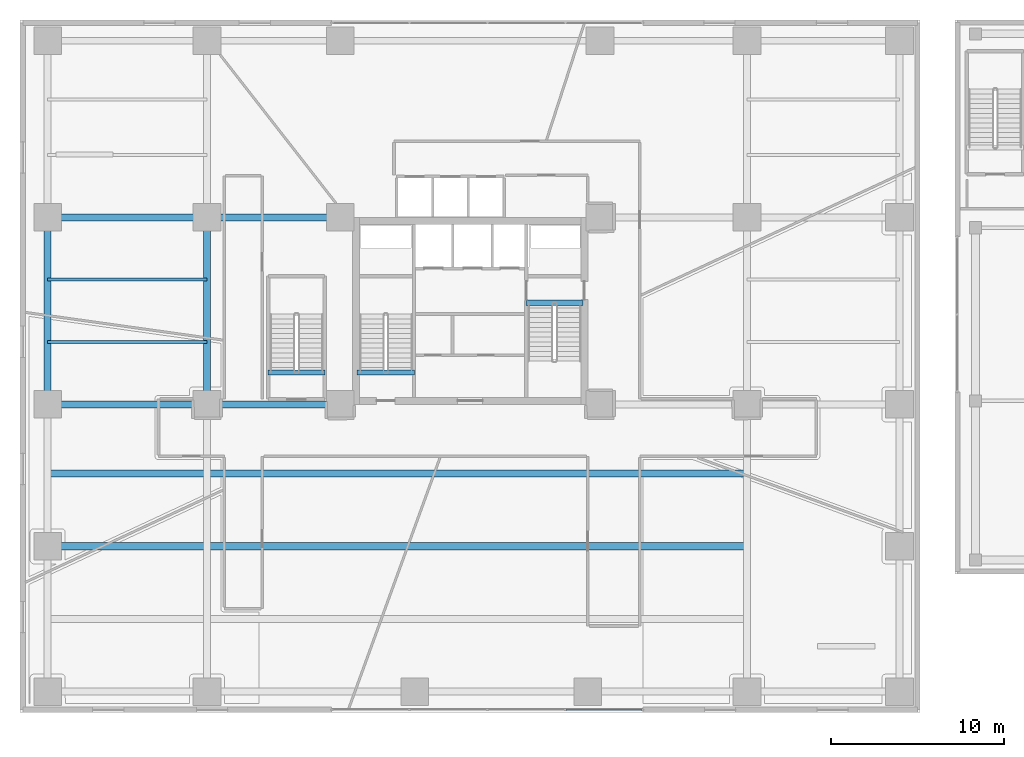
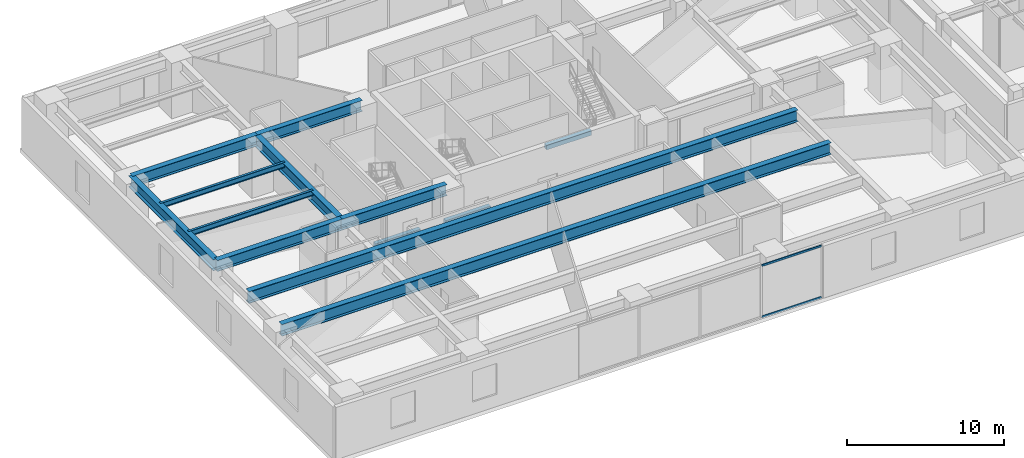
# One storey, part 5 of 25: 13 beams, 2 members, 1 element without a shape of its own.
"""IFC4 building model written with IfcOpenShell, lengths in metres."""

from ifc_helpers import new_model, si_unit, direction, frame, origin, origin_2d, place, context, subcontext, project, spatial, rectangle, hollow_rectangle, i_section, extrude, source, transform, mapped, material, layer, layer_set, material_profile, profile_set, type_object, type_shapes, element, aggregate, save


model = new_model("IFC4")

# Units and contexts
model_context = context("Model", 3, precision=1e-05, world=origin(), true_north=direction((0.0, 1.0)))
body_context = subcontext(model_context, "Body", "Model", "MODEL_VIEW")
ifc_project = project(units=[si_unit("LENGTHUNIT", "METRE"), si_unit("AREAUNIT", "SQUARE_METRE"), si_unit("VOLUMEUNIT", "CUBIC_METRE"), si_unit("PLANEANGLEUNIT", "RADIAN"), si_unit("MASSUNIT", "GRAM", prefix="KILO")], contexts=[model_context])

# Site, building, storey
site_placement = place(None, origin())
site = spatial("IfcSite", under=ifc_project, at=site_placement, CompositionType="ELEMENT")
building_placement = place(site_placement, origin())
building = spatial("IfcBuilding", under=site, at=building_placement, Name="Talar Marvaseh", CompositionType="ELEMENT")
storey_placement = place(building_placement, frame((0.0, 0.0, 5.199951171875)))
storey = spatial("IfcBuildingStorey", under=building, at=storey_placement, Name="L01", CompositionType="ELEMENT", Elevation=5.199951171875)

# Beams
ifc_material_1 = material(Name="Steel S460", Category="steel")
ifc_material_profile_1 = material_profile(ifc_material_1, i_section(OverallWidth=0.41796875, OverallDepth=0.912109375, WebThickness=0.019287109375, FlangeThickness=0.031982421875, at=origin_2d()), Name="W920x342")
ifc_profile_set_1 = profile_set([ifc_material_profile_1], Name="Steel S460")
beam_type_1 = type_object("IfcBeamType", Name="Auditorium Long-Span Girder W920x342", PredefinedType="BEAM", material=ifc_profile_set_1)
for number, where, z_axis, x_axis, name in (
    (1, (1.60009765625, 17.60009765625, 3.843994140625), (1.0, 0.0, 0.0), (0.0, 1.0, 0.0), "L01 Auditorium Long-Span Girder W920x342"),
    (2, (1.60009765625, 21.800048828125, 3.843994140625), (1.0, 0.0, 0.0), (0.0, 1.0, 0.0), "L01 Auditorium Long-Span Girder W920x342"),
):
    element("IfcBeam", number, at=place(storey_placement, frame(where, z_axis=z_axis, x_axis=x_axis)), inside=storey, type_object=beam_type_1, Name=name, PredefinedType="BEAM", context=body_context, shape_type="SweptSolid", body=[
        extrude(i_section(OverallWidth=0.41796875, OverallDepth=0.912109375, WebThickness=0.019287109375, FlangeThickness=0.031982421875, at=origin_2d()), origin(), (0.0, 0.0, 1.0), 40.39990234375),
    ])
ifc_material_2 = material(Name="Steel S355", Category="steel")
ifc_material_profile_2 = material_profile(ifc_material_2, i_section(OverallWidth=0.39990234375, OverallDepth=0.85498046875, WebThickness=0.018310546875, FlangeThickness=0.029296875, at=origin_2d()), Name="W840x299")
ifc_profile_set_2 = profile_set([ifc_material_profile_2], Name="Steel S355")
beam_type_2 = type_object("IfcBeamType", Name="Concourse Primary Girder W840x299", PredefinedType="BEAM", material=ifc_profile_set_2)
beam_1_placement = place(storey_placement, frame((1.60009765625, 25.800048828125, 3.87255859375), z_axis=(1.0, 0.0, 0.0), x_axis=(0.0, 1.0, 0.0)))
element("IfcBeam", 3, at=beam_1_placement, inside=storey, type_object=beam_type_2, Name="L01 Concourse Primary Girder W840x299", PredefinedType="BEAM", context=body_context, shape_type="SweptSolid", body=[
    extrude(i_section(OverallWidth=0.39990234375, OverallDepth=0.85498046875, WebThickness=0.018310546875, FlangeThickness=0.029296875, at=origin_2d()), origin(), (0.0, 0.0, 1.0), 9.199951171875),
])
beam_2_placement = place(storey_placement, frame((10.800048828125, 25.800048828125, 3.87255859375), z_axis=(1.0, 0.0, 0.0), x_axis=(0.0, 1.0, 0.0)))
element("IfcBeam", 4, at=beam_2_placement, inside=storey, type_object=beam_type_2, Name="L01 Concourse Primary Girder W840x299", PredefinedType="BEAM", context=body_context, shape_type="SweptSolid", body=[
    extrude(i_section(OverallWidth=0.39990234375, OverallDepth=0.85498046875, WebThickness=0.018310546875, FlangeThickness=0.029296875, at=origin_2d()), origin(), (0.0, 0.0, 1.0), 7.699951171875),
])
beam_3_placement = place(storey_placement, frame((1.60009765625, 36.60009765625, 3.87255859375), z_axis=(1.0, 0.0, 0.0), x_axis=(0.0, 1.0, 0.0)))
element("IfcBeam", 5, at=beam_3_placement, inside=storey, type_object=beam_type_2, Name="L01 Concourse Primary Girder W840x299", PredefinedType="BEAM", context=body_context, shape_type="SweptSolid", body=[
    extrude(i_section(OverallWidth=0.39990234375, OverallDepth=0.85498046875, WebThickness=0.018310546875, FlangeThickness=0.029296875, at=origin_2d()), origin(), (0.0, 0.0, 1.0), 9.199951171875),
])
beam_4_placement = place(storey_placement, frame((10.800048828125, 36.60009765625, 3.87255859375), z_axis=(1.0, 0.0, 0.0), x_axis=(0.0, 1.0, 0.0)))
element("IfcBeam", 6, at=beam_4_placement, inside=storey, type_object=beam_type_2, Name="L01 Concourse Primary Girder W840x299", PredefinedType="BEAM", context=body_context, shape_type="SweptSolid", body=[
    extrude(i_section(OverallWidth=0.39990234375, OverallDepth=0.85498046875, WebThickness=0.018310546875, FlangeThickness=0.029296875, at=origin_2d()), origin(), (0.0, 0.0, 1.0), 7.699951171875),
])
for number, where, z_axis, x_axis, name in (
    (7, (1.60009765625, 25.800048828125, 3.87255859375), (0.0, 1.0, 0.0), (-1.0, 0.0, 0.0), "L01 Concourse Primary Girder W840x299"),
    (8, (10.800048828125, 25.800048828125, 3.87255859375), (0.0, 1.0, 0.0), (-1.0, 0.0, 0.0), "L01 Concourse Primary Girder W840x299"),
):
    element("IfcBeam", number, at=place(storey_placement, frame(where, z_axis=z_axis, x_axis=x_axis)), inside=storey, type_object=beam_type_2, Name=name, PredefinedType="BEAM", context=body_context, shape_type="SweptSolid", body=[
        extrude(i_section(OverallWidth=0.39990234375, OverallDepth=0.85498046875, WebThickness=0.018310546875, FlangeThickness=0.029296875, at=origin_2d()), origin(), (0.0, 0.0, 1.0), 10.800048828125),
    ])
ifc_material_3 = material(Name="Concrete C40/50", Category="concrete")
ifc_material_profile_3 = material_profile(ifc_material_3, rectangle(XDim=0.300048828125, YDim=0.360107421875, at=origin_2d()), Name="RC300x360")
ifc_profile_set_3 = profile_set([ifc_material_profile_3], Name="Concrete C40/50")
beam_type_3 = type_object("IfcBeamType", Name="Concrete Stair Landing Trimmer Beam RC300x360", PredefinedType="SPANDREL", material=ifc_profile_set_3)
for number, where, z_axis, x_axis, name in (
    (9, (22.780029296875, 27.6298828125, -0.179931640625), (-1.0, 0.0, 0.0), (0.0, -1.0, 0.0), "L01 ST-1 Stair Nosing Trimmer Beam"),
    (10, (29.219970703125, 31.669921875, -0.179931640625), (1.0, 0.0, 0.0), (0.0, 1.0, 0.0), "L01 ST-2 Stair Nosing Trimmer Beam"),
    (11, (17.6201171875, 27.6298828125, -0.179931640625), (-1.0, 0.0, 0.0), (0.0, -1.0, 0.0), "L01 ST-3 Stair Nosing Trimmer Beam"),
):
    element("IfcBeam", number, at=place(storey_placement, frame(where, z_axis=z_axis, x_axis=x_axis)), inside=storey, type_object=beam_type_3, Name=name, PredefinedType="SPANDREL", context=body_context, shape_type="SweptSolid", body=[
        extrude(rectangle(XDim=0.300048828125, YDim=0.360107421875, at=origin_2d()), origin(), (0.0, 0.0, 1.0), 3.300048828125),
    ])
ifc_material_profile_4 = material_profile(ifc_material_2, i_section(OverallWidth=0.179931640625, OverallDepth=0.4130859375, WebThickness=0.009765625, FlangeThickness=0.01611328125, at=origin_2d()), Name="W410x75")
ifc_profile_set_4 = profile_set([ifc_material_profile_4], Name="Steel S355")
beam_type_4 = type_object("IfcBeamType", Name="Zone 1 Secondary Floor Joist W410x75", PredefinedType="JOIST", material=ifc_profile_set_4)
for number, where, z_axis, x_axis, name in (
    (12, (1.60009765625, 29.39990234375, 4.093505859375), (1.0, 0.0, 0.0), (0.0, 1.0, 0.0), "L01 Zone 1 Secondary Floor Joist W410x75"),
    (13, (1.60009765625, 33.0, 4.093505859375), (1.0, 0.0, 0.0), (0.0, 1.0, 0.0), "L01 Zone 1 Secondary Floor Joist W410x75"),
):
    element("IfcBeam", number, at=place(storey_placement, frame(where, z_axis=z_axis, x_axis=x_axis)), inside=storey, type_object=beam_type_4, Name=name, PredefinedType="JOIST", context=body_context, shape_type="SweptSolid", body=[
        extrude(i_section(OverallWidth=0.179931640625, OverallDepth=0.4130859375, WebThickness=0.009765625, FlangeThickness=0.01611328125, at=origin_2d()), origin(), (0.0, 0.0, 1.0), 9.199951171875),
    ])

# Curtain wall, members
ifc_material_4 = material(Name="Architectural Aluminium", Category="aluminium")
ifc_layer = layer(ifc_material_4, 0.25)
ifc_layer_set = layer_set([ifc_layer], Name="Architectural Aluminium")
curtain_wall_type = type_object("IfcCurtainWallType", Name="Station Podium Monumental Iwan Curtain Wall", PredefinedType="NOTDEFINED", material=ifc_layer_set)
curtain_wall_placement = place(storey_placement, origin())
curtain_wall = element("IfcCurtainWall", 14, at=curtain_wall_placement, inside=storey, type_object=curtain_wall_type, Name="L01 Station Podium Monumental Iwan Curtain Wall", PredefinedType="NOTDEFINED")
ifc_material_profile_5 = material_profile(ifc_material_4, hollow_rectangle(XDim=0.06494140625, YDim=0.14990234375, WallThickness=0.00390625, at=origin_2d()), Name="RHS150x65x4")
ifc_profile_set_5 = profile_set([ifc_material_profile_5], Name="Architectural Aluminium")
member_type = type_object("IfcMemberType", Name="Unitised Curtain Wall Slim Transom RHS150x65x4", PredefinedType="USERDEFINED", material=ifc_profile_set_5)
shared_shape = source(origin(), body_context, "Body", "SweptSolid", [
    extrude(hollow_rectangle(XDim=0.06494140625, YDim=0.14990234375, WallThickness=0.00390625, at=origin_2d()), origin(), (0.0, 0.0, 1.0), 4.402587890625),
])
type_shapes(member_type, [shared_shape])
member_1_placement = place(storey_placement, frame((35.93505859375, 8.159912109375, 0.032470703125), z_axis=(-1.0, 0.0, 0.0), x_axis=(0.0, -1.0, 0.0)))
member_1 = element("IfcMember", 15, at=member_1_placement, type_object=member_type, Name="CW-POD transom 1.1", ObjectType="TRANSOM", PredefinedType="USERDEFINED", context=body_context, shape_type="MappedRepresentation", body=[
    mapped(shared_shape, transform((0.0, 0.0, 0.0), x_axis=(1.0, 0.0, 0.0), y_axis=(0.0, 1.0, 0.0), z_axis=(0.0, 0.0, 1.0), scale=1.0)),
])
member_2_placement = place(storey_placement, frame((35.93505859375, 8.159912109375, 4.017578125), z_axis=(-1.0, 0.0, 0.0), x_axis=(0.0, -1.0, 0.0)))
member_2 = element("IfcMember", 16, at=member_2_placement, type_object=member_type, Name="CW-POD transom 1.2", ObjectType="TRANSOM", PredefinedType="USERDEFINED", context=body_context, shape_type="MappedRepresentation", body=[
    mapped(shared_shape, transform((0.0, 0.0, 0.0), x_axis=(1.0, 0.0, 0.0), y_axis=(0.0, 1.0, 0.0), z_axis=(0.0, 0.0, 1.0), scale=1.0)),
])
aggregate(curtain_wall, [member_1, member_2])

save(model, "model.ifc")
